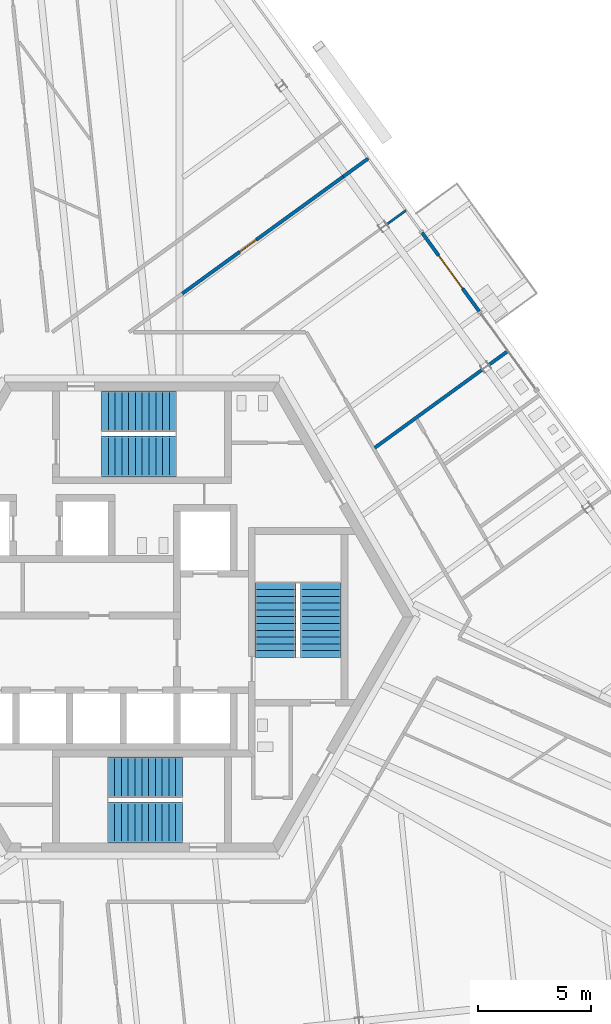
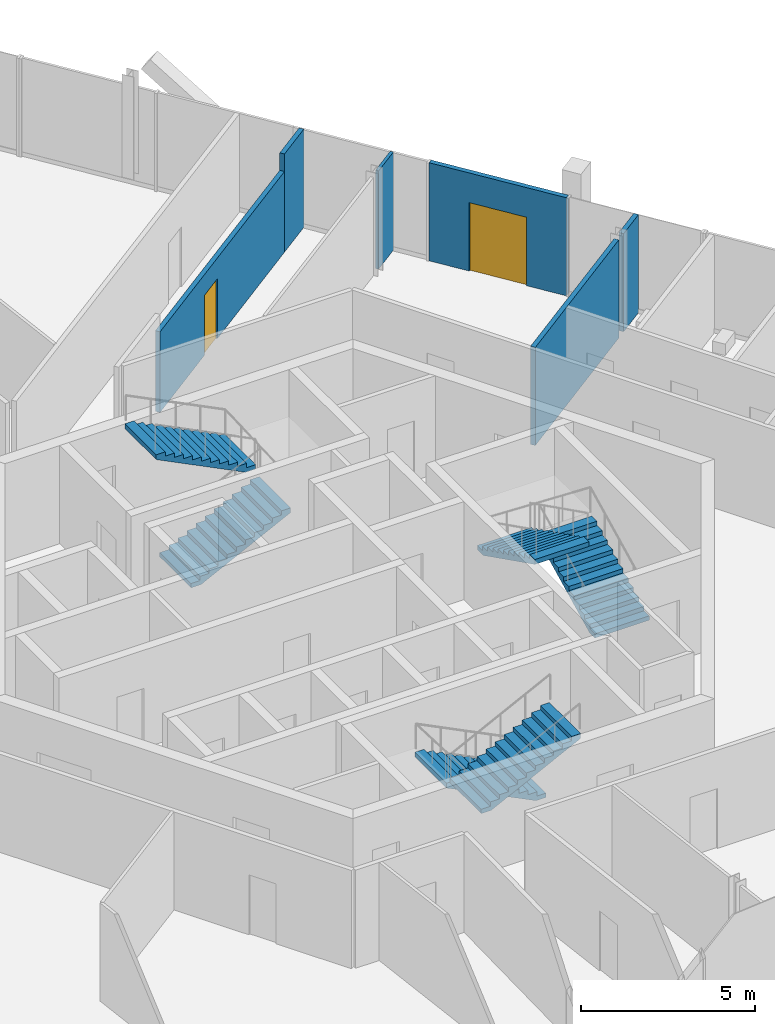
# One storey, part 15 of 19: 6 stair flights, 6 walls, 2 doors, 2 openings, 3 elements without a shape of their own.
"""IFC4 building model written with IfcOpenShell, lengths in metres."""

from ifc_helpers import new_model, si_unit, direction, frame, frame_2d, origin, place, context, subcontext, project, spatial, polyline, rectangle, outline, extrude, source, transform, mapped, material, layer, layer_set, type_object, element, fill, aggregate, save


model = new_model("IFC4")

# Units and contexts
model_context = context("Model", 3, precision=1e-05, world=origin(), true_north=direction((0.0, 1.0)))
body_context = subcontext(model_context, "Body", "Model", "MODEL_VIEW")
ifc_project = project(units=[si_unit("LENGTHUNIT", "METRE"), si_unit("AREAUNIT", "SQUARE_METRE"), si_unit("VOLUMEUNIT", "CUBIC_METRE"), si_unit("PLANEANGLEUNIT", "RADIAN"), si_unit("MASSUNIT", "GRAM", prefix="KILO")], contexts=[model_context])

# Site, building, storey
site_placement = place(None, origin())
site = spatial("IfcSite", under=ifc_project, at=site_placement, CompositionType="ELEMENT")
building_placement = place(site_placement, origin())
building = spatial("IfcBuilding", under=site, at=building_placement, Name="Triune Harvest Tower", CompositionType="ELEMENT")
storey_placement = place(building_placement, frame((0.0, 0.0, 244.89990234375)))
storey = spatial("IfcBuildingStorey", under=building, at=storey_placement, Name="L64", CompositionType="ELEMENT", Elevation=244.89990234375)

# Walls
ifc_material_1 = material(Name="Gypsum board on steel studs", Category="steel")
ifc_layer_1 = layer(ifc_material_1, 0.14990234375)
ifc_layer_set_1 = layer_set([ifc_layer_1], Name="Gypsum board on steel studs")
wall_type_1 = type_object("IfcWallType", Name="Fire Partition 150 mm", PredefinedType="PARTITIONING", material=ifc_layer_set_1)
wall_1_placement = place(storey_placement, frame((10.2919921875, 7.4775390625, 0.0), z_axis=(0.0, 0.0, 1.0), x_axis=(0.809016999343, 0.587785245455, 0.0)))
element("IfcWall", 1, at=wall_1_placement, inside=storey, type_object=wall_type_1, Name="Partition L64 044", PredefinedType="PARTITIONING", context=body_context, shape_type="SweptSolid", body=[
    extrude(rectangle(XDim=5.8984375, YDim=0.14990234375, at=frame_2d((2.94921875, 0.0))), origin(), (0.0, 0.0, 1.0), 3.440185546875),
])
wall_2_placement = place(storey_placement, frame((15.33544921875, 11.14208984375, 0.0), z_axis=(0.0, 0.0, 1.0), x_axis=(0.809078563498, 0.587700500329, 0.0)))
element("IfcWall", 2, at=wall_2_placement, inside=storey, type_object=wall_type_1, Name="Partition L64 045", PredefinedType="PARTITIONING", context=body_context, shape_type="SweptSolid", body=[
    extrude(rectangle(XDim=1.047607421875, YDim=0.14990234375, at=frame_2d((0.52392578125, 0.0))), origin(), (0.0, 0.0, 1.0), 3.440185546875),
])

# Wall, opening, door
wall_3_placement = place(storey_placement, frame((1.78271484375, 14.297607421875, 0.0), z_axis=(0.0, 0.0, 1.0), x_axis=(0.809020661986, 0.587780204226, 0.0)))
wall_3 = element("IfcWall", 3, at=wall_3_placement, inside=storey, type_object=wall_type_1, Name="Partition L64 049a", PredefinedType="PARTITIONING", context=body_context, shape_type="SweptSolid", body=[
    extrude(rectangle(XDim=8.78955078125, YDim=0.14990234375, at=frame_2d((4.394775390625, 0.0))), origin(), (0.0, 0.0, 1.0), 2.827880859375),
])
opening_1_placement = place(wall_3_placement, frame((3.1484375, 0.0, 0.0)))
opening_1 = element("IfcOpeningElement", 4, at=opening_1_placement, cuts=wall_3, Name="Opening L64-010", PredefinedType="OPENING", context=body_context, shape_type="SweptSolid", body=[
    extrude(rectangle(XDim=0.89990234375, YDim=2.10009765625, at=frame_2d((0.449951171875, 1.050048828125))), frame((0.0, 0.0849609375, 0.0), z_axis=(0.0, -1.0, 0.0), x_axis=(1.0, 0.0, 0.0)), (0.0, 0.0, 1.0), 0.169921875),
])
ifc_material_2 = material(Name="Timber and steel door set", Category="steel")
door_type_1 = type_object("IfcDoorType", Name="Single leaf door FD30 right hand 900 x 2100", OperationType="SINGLE_SWING_RIGHT", PredefinedType="DOOR", material=ifc_material_2)
door_1_placement = place(opening_1_placement, origin())
door_1 = element("IfcDoor", 5, at=door_1_placement, inside=storey, type_object=door_type_1, Name="Door L64-010 Office 64.10", OperationType="SINGLE_SWING_RIGHT", OverallHeight=2.10009765625, OverallWidth=0.89990234375, PredefinedType="DOOR", context=body_context, shape_type="SweptSolid", body=[
    extrude(rectangle(XDim=0.89990234375, YDim=2.10009765625, at=frame_2d((0.449951171875, 1.050048828125))), frame((0.0, 0.02490234375, 0.0), z_axis=(0.0, -1.0, 0.0), x_axis=(1.0, 0.0, 0.0)), (0.0, 0.0, 1.0), 0.050048828125),
])
fill(opening_1, door_1)

# Wall
wall_4_placement = place(storey_placement, frame((8.8935546875, 19.4638671875, 0.0), z_axis=(0.0, 0.0, 1.0), x_axis=(0.808967539719, 0.587853314766, 0.0)))
element("IfcWall", 6, at=wall_4_placement, inside=storey, type_object=wall_type_1, Name="Partition L64 049b", PredefinedType="PARTITIONING", context=body_context, shape_type="SweptSolid", body=[
    extrude(rectangle(XDim=1.367919921875, YDim=0.14990234375, at=frame_2d((0.68408203125, 0.0))), origin(), (0.0, 0.0, 1.0), 3.440185546875),
])

# Wall, opening, door
ifc_material_3 = material(Name="Aluminium bronze anodised", Category="aluminium")
ifc_layer_2 = layer(ifc_material_3, 0.14990234375)
ifc_layer_set_2 = layer_set([ifc_layer_2], Name="Aluminium bronze anodised")
wall_type_2 = type_object("IfcWallType", Name="WW-2 balcony window wall", PredefinedType="ELEMENTEDWALL", material=ifc_layer_set_2)
shared_shape_1 = source(origin(), body_context, "Body", "SweptSolid", [
    extrude(rectangle(XDim=4.31640625, YDim=0.14990234375, at=frame_2d((2.158203125, 0.0))), origin(), (0.0, 0.0, 1.0), 3.440185546875),
])
wall_5_placement = place(storey_placement, frame((12.37744140625, 16.995849609375, 0.0), z_axis=(0.0, 0.0, 1.0), x_axis=(0.587768063577, -0.809029482429, 0.0)))
wall_5 = element("IfcWall", 7, at=wall_5_placement, inside=storey, type_object=wall_type_2, Name="WW-2 B6-F1 L64.7", PredefinedType="ELEMENTEDWALL", context=body_context, shape_type="MappedRepresentation", body=[
    mapped(shared_shape_1, transform((0.0, 0.0, 0.0), scale=1.0)),
])
opening_2_placement = place(wall_5_placement, frame((1.25830078125, 0.0, 0.0)))
opening_2 = element("IfcOpeningElement", 8, at=opening_2_placement, cuts=wall_5, Name="Opening L64-E01", PredefinedType="OPENING", context=body_context, shape_type="SweptSolid", body=[
    extrude(rectangle(XDim=1.800048828125, YDim=2.39990234375, at=frame_2d((0.89990234375, 1.199951171875))), frame((0.0, 0.0849609375, 0.0), z_axis=(0.0, -1.0, 0.0), x_axis=(1.0, 0.0, 0.0)), (0.0, 0.0, 1.0), 0.169921875),
])
ifc_material_4 = material(Name="Glass", Category="glass")
door_type_2 = type_object("IfcDoorType", Name="DB-1 balcony door 1800 x 2400", OperationType="DOUBLE_DOOR_SINGLE_SWING", PredefinedType="DOOR", material=ifc_material_4)
door_2_placement = place(opening_2_placement, origin())
door_2 = element("IfcDoor", 9, at=door_2_placement, inside=storey, type_object=door_type_2, Name="Door L64-E01", OperationType="DOUBLE_DOOR_SINGLE_SWING", OverallHeight=2.39990234375, OverallWidth=1.800048828125, PredefinedType="DOOR", context=body_context, shape_type="SweptSolid", body=[
    extrude(rectangle(XDim=1.800048828125, YDim=2.39990234375, at=frame_2d((0.89990234375, 1.199951171875))), frame((0.0, 0.02490234375, 0.0), z_axis=(0.0, -1.0, 0.0), x_axis=(1.0, 0.0, 0.0)), (0.0, 0.0, 1.0), 0.050048828125),
])
fill(opening_2, door_2)

# Wall
ifc_material_5 = material(Name="Gypsum board on steel studs", Category="steel")
ifc_layer_3 = layer(ifc_material_5, 0.10009765625)
ifc_layer_set_3 = layer_set([ifc_layer_3], Name="Gypsum board on steel studs")
wall_type_3 = type_object("IfcWallType", Name="Partition 100 mm", PredefinedType="PARTITIONING", material=ifc_layer_set_3)
shared_shape_2 = source(origin(), body_context, "Body", "SweptSolid", [
    extrude(rectangle(XDim=1.0478515625, YDim=0.10009765625, at=frame_2d((0.52392578125, 0.0))), origin(), (0.0, 0.0, 1.0), 3.440185546875),
])
wall_6_placement = place(storey_placement, frame((10.821533203125, 17.354736328125, 0.0), z_axis=(0.0, 0.0, 1.0), x_axis=(0.808967759712, 0.587853012025, 0.0)))
element("IfcWall", 10, at=wall_6_placement, inside=storey, type_object=wall_type_3, Name="Partition L64 047", PredefinedType="PARTITIONING", context=body_context, shape_type="MappedRepresentation", body=[
    mapped(shared_shape_2, transform((0.0, 0.0, 0.0), scale=1.0)),
])

# Stair, stair flights
ifc_material_6 = material(Name="Concrete 40 MPa", Category="concrete")
stair_type = type_object("IfcStairType", Name="Exit stair 1800 half turn", PredefinedType="HALF_TURN_STAIR", material=ifc_material_6)
stair_1_placement = place(storey_placement, origin())
stair_1 = element("IfcStair", 11, at=stair_1_placement, inside=storey, type_object=stair_type, Name="Exit stair north", PredefinedType="HALF_TURN_STAIR")
ifc_material_7 = material(Name="Concrete 40 MPa", Category="concrete")
stair_flight_type = type_object("IfcStairFlightType", Name="Stair flight 1800", PredefinedType="STRAIGHT", material=ifc_material_7)
shared_shape_3 = source(origin(), body_context, "Body", "SweptSolid", [
    extrude(outline(polyline([(0.0, 0.0), (0.0, 0.14990234375), (0.300048828125, 0.14990234375), (0.300048828125, 0.300048828125), (0.60009765625, 0.300048828125), (0.60009765625, 0.449951171875), (0.89990234375, 0.449951171875), (0.89990234375, 0.60009765625), (1.199951171875, 0.60009765625), (1.199951171875, 0.75), (1.5, 0.75), (1.5, 0.89990234375), (1.800048828125, 0.89990234375), (1.800048828125, 1.050048828125), (2.10009765625, 1.050048828125), (2.10009765625, 1.199951171875), (2.39990234375, 1.199951171875), (2.39990234375, 1.35009765625), (2.699951171875, 1.35009765625), (2.699951171875, 1.5), (3.0, 1.5), (3.0, 1.64990234375), (3.300048828125, 1.64990234375), (3.300048828125, 1.800048828125), (3.300048828125, 1.482421875), (0.335205078125, 0.0), (0.0, 0.0)])), frame((0.0, 0.89990234375, 0.0), z_axis=(0.0, -1.0, 0.0), x_axis=(1.0, 0.0, 0.0)), (0.0, 0.0, 1.0), 1.800048828125),
])
stair_flight_1_placement = place(storey_placement, frame((-1.7900390625, 7.090087890625, 0.0), z_axis=(0.0, 0.0, 1.0), x_axis=(1.0, 0.0, 0.0)))
stair_flight_1 = element("IfcStairFlight", 12, at=stair_flight_1_placement, type_object=stair_flight_type, Name="ST-1 flight 1", NumberOfRisers=12, NumberOfTreads=11, PredefinedType="STRAIGHT", RiserHeight=0.15, TreadLength=0.3, context=body_context, shape_type="MappedRepresentation", body=[
    mapped(shared_shape_3, transform((0.0, 0.0, 0.0), scale=1.0)),
])
stair_flight_2_placement = place(storey_placement, frame((1.510009765625, 9.090087890625, 1.800048828125), z_axis=(0.0, 0.0, 1.0), x_axis=(-1.0, 0.0, 0.0)))
stair_flight_2 = element("IfcStairFlight", 13, at=stair_flight_2_placement, type_object=stair_flight_type, Name="ST-1 flight 2", NumberOfRisers=12, NumberOfTreads=11, PredefinedType="STRAIGHT", RiserHeight=0.15, TreadLength=0.3, context=body_context, shape_type="MappedRepresentation", body=[
    mapped(shared_shape_3, transform((0.0, 0.0, 0.0), scale=1.0)),
])
aggregate(stair_1, [stair_flight_1, stair_flight_2])

stair_2_placement = place(storey_placement, origin())
stair_2 = element("IfcStair", 14, at=stair_2_placement, inside=storey, type_object=stair_type, Name="Exit stair south", PredefinedType="HALF_TURN_STAIR")
stair_flight_3_placement = place(storey_placement, frame((1.7900390625, -7.090087890625, 0.0), z_axis=(0.0, 0.0, 1.0), x_axis=(-1.0, 0.0, 0.0)))
stair_flight_3 = element("IfcStairFlight", 15, at=stair_flight_3_placement, type_object=stair_flight_type, Name="ST-2 flight 1", NumberOfRisers=12, NumberOfTreads=11, PredefinedType="STRAIGHT", RiserHeight=0.15, TreadLength=0.3, context=body_context, shape_type="MappedRepresentation", body=[
    mapped(shared_shape_3, transform((0.0, 0.0, 0.0), scale=1.0)),
])
stair_flight_4_placement = place(storey_placement, frame((-1.510009765625, -9.090087890625, 1.800048828125), z_axis=(0.0, 0.0, 1.0), x_axis=(1.0, 0.0, 0.0)))
stair_flight_4 = element("IfcStairFlight", 16, at=stair_flight_4_placement, type_object=stair_flight_type, Name="ST-2 flight 2", NumberOfRisers=12, NumberOfTreads=11, PredefinedType="STRAIGHT", RiserHeight=0.15, TreadLength=0.3, context=body_context, shape_type="MappedRepresentation", body=[
    mapped(shared_shape_3, transform((0.0, 0.0, 0.0), scale=1.0)),
])
aggregate(stair_2, [stair_flight_3, stair_flight_4])

stair_3_placement = place(storey_placement, origin())
stair_3 = element("IfcStair", 17, at=stair_3_placement, inside=storey, type_object=stair_type, Name="Exit stair east", PredefinedType="HALF_TURN_STAIR")
stair_flight_5_placement = place(storey_placement, frame((7.89990234375, -1.7900390625, 0.0), z_axis=(0.0, 0.0, 1.0), x_axis=(0.0, 1.0, 0.0)))
stair_flight_5 = element("IfcStairFlight", 18, at=stair_flight_5_placement, type_object=stair_flight_type, Name="ST-3 flight 1", NumberOfRisers=12, NumberOfTreads=11, PredefinedType="STRAIGHT", RiserHeight=0.15, TreadLength=0.3, context=body_context, shape_type="MappedRepresentation", body=[
    mapped(shared_shape_3, transform((0.0, 0.0, 0.0), scale=1.0)),
])
stair_flight_6_placement = place(storey_placement, frame((5.89990234375, 1.510009765625, 1.800048828125), z_axis=(0.0, 0.0, 1.0), x_axis=(0.0, -1.0, 0.0)))
stair_flight_6 = element("IfcStairFlight", 19, at=stair_flight_6_placement, type_object=stair_flight_type, Name="ST-3 flight 2", NumberOfRisers=12, NumberOfTreads=11, PredefinedType="STRAIGHT", RiserHeight=0.15, TreadLength=0.3, context=body_context, shape_type="MappedRepresentation", body=[
    mapped(shared_shape_3, transform((0.0, 0.0, 0.0), scale=1.0)),
])
aggregate(stair_3, [stair_flight_5, stair_flight_6])

save(model, "model.ifc")
